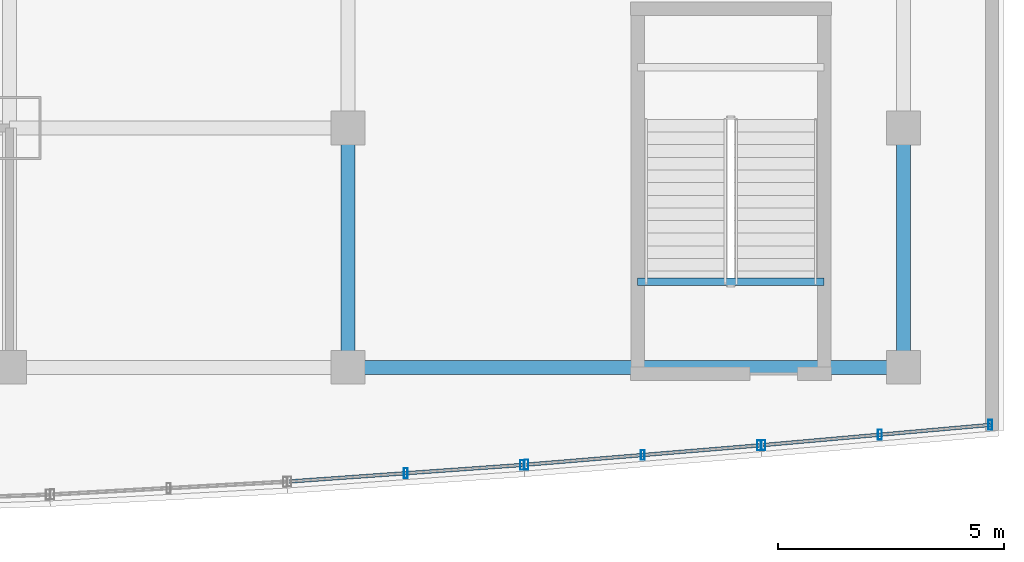
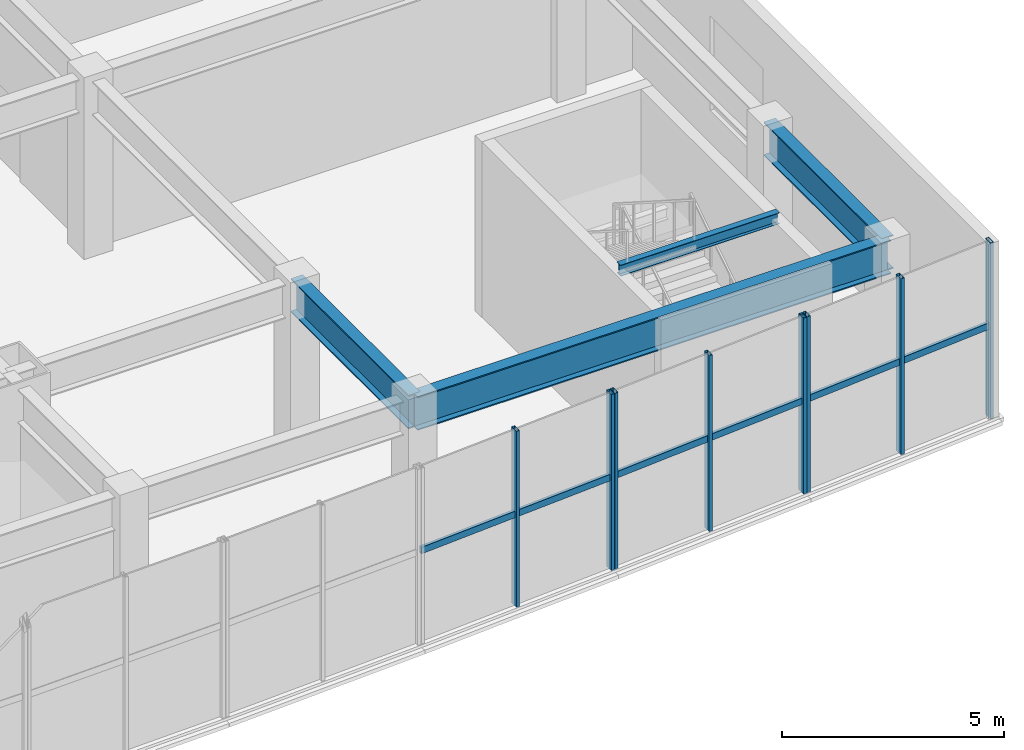
# One storey, part 9 of 24: 11 members, 4 beams, 3 elements without a shape of their own.
"""IFC4 building model written with IfcOpenShell, lengths in metres."""

from ifc_helpers import new_model, si_unit, direction, frame, origin, origin_2d, place, context, subcontext, project, spatial, hollow_rectangle, i_section, extrude, material, layer, layer_set, material_profile, profile_set, type_object, element, aggregate, save


model = new_model("IFC4")

# Units and contexts
model_context = context("Model", 3, precision=1e-05, world=origin(), true_north=direction((0.0, 1.0)))
body_context = subcontext(model_context, "Body", "Model", "MODEL_VIEW")
ifc_project = project(units=[si_unit("LENGTHUNIT", "METRE"), si_unit("AREAUNIT", "SQUARE_METRE"), si_unit("VOLUMEUNIT", "CUBIC_METRE"), si_unit("PLANEANGLEUNIT", "RADIAN"), si_unit("MASSUNIT", "GRAM", prefix="KILO")], contexts=[model_context])

# Site, building, storey
site_placement = place(None, origin())
site = spatial("IfcSite", under=ifc_project, at=site_placement, CompositionType="ELEMENT")
building_placement = place(site_placement, origin())
building = spatial("IfcBuilding", under=site, at=building_placement, Name="Vantalir Tower", CompositionType="ELEMENT")
storey_placement = place(building_placement, frame((0.0, 0.0, 11.0)))
storey = spatial("IfcBuildingStorey", under=building, at=storey_placement, Name="L02", CompositionType="ELEMENT", Elevation=11.0)

# Beams
ifc_material_1 = material(Name="Steel S355", Category="steel")
ifc_material_profile_1 = material_profile(ifc_material_1, i_section(OverallWidth=0.166015625, OverallDepth=0.306884765625, WebThickness=0.006591796875, FlangeThickness=0.01171875, at=origin_2d()), Name="Steel S355")
ifc_profile_set_1 = profile_set([ifc_material_profile_1], Name="Steel S355")
beam_type_1 = type_object("IfcBeamType", Name="BM-JS-305x165", PredefinedType="JOIST", material=ifc_profile_set_1)
beam_1_placement = place(storey_placement, frame((55.010009765625, 5.094970703125, 4.845947265625), z_axis=(1.0, 0.0, 0.0), x_axis=(0.0, 1.0, 0.0)))
element("IfcBeam", 1, at=beam_1_placement, inside=storey, type_object=beam_type_1, Name="L03 Stair PST4 Well Nosing Trimmer Beam", PredefinedType="JOIST", context=body_context, shape_type="SweptSolid", body=[
    extrude(i_section(OverallWidth=0.166015625, OverallDepth=0.306884765625, WebThickness=0.006591796875, FlangeThickness=0.01171875, at=origin_2d()), origin(), (0.0, 0.0, 1.0), 4.1298828125),
])
ifc_material_profile_2 = material_profile(ifc_material_1, i_section(OverallWidth=0.30810546875, OverallDepth=0.927001953125, WebThickness=0.01953125, FlangeThickness=0.031982421875, at=origin_2d()), Name="Steel S355")
ifc_profile_set_2 = profile_set([ifc_material_profile_2], Name="Steel S355")
beam_type_2 = type_object("IfcBeamType", Name="BM-PG-914x305", PredefinedType="USERDEFINED", material=ifc_profile_set_2)
beam_2_placement = place(storey_placement, frame((48.60009765625, 3.199951171875, 4.35595703125), z_axis=(1.0, 0.0, 0.0), x_axis=(0.0, 1.0, 0.0)))
element("IfcBeam", 2, at=beam_2_placement, inside=storey, type_object=beam_type_2, Name="Level 02 Podium E-W Girder 06", ObjectType="GIRDER", PredefinedType="USERDEFINED", context=body_context, shape_type="SweptSolid", body=[
    extrude(i_section(OverallWidth=0.30810546875, OverallDepth=0.927001953125, WebThickness=0.01953125, FlangeThickness=0.031982421875, at=origin_2d()), origin(), (0.0, 0.0, 1.0), 12.2998046875),
])
for number, where, z_axis, x_axis, name in (
    (3, (48.60009765625, 3.199951171875, 4.35595703125), (0.0, 1.0, 0.0), (-1.0, 0.0, 0.0), "Level 02 Podium N-S Girder 74"),
    (4, (60.89990234375, 3.199951171875, 4.35595703125), (0.0, 1.0, 0.0), (-1.0, 0.0, 0.0), "Level 02 Podium N-S Girder 80"),
):
    element("IfcBeam", number, at=place(storey_placement, frame(where, z_axis=z_axis, x_axis=x_axis)), inside=storey, type_object=beam_type_2, Name=name, ObjectType="GIRDER", PredefinedType="USERDEFINED", context=body_context, shape_type="SweptSolid", body=[
        extrude(i_section(OverallWidth=0.30810546875, OverallDepth=0.927001953125, WebThickness=0.01953125, FlangeThickness=0.031982421875, at=origin_2d()), origin(), (0.0, 0.0, 1.0), 5.300048828125),
    ])

# Curtain wall, members
ifc_material_2 = material(Name="Champagne-silver PVDF aluminium and double-silver Low-E glass", Category="aluminium")
ifc_layer = layer(ifc_material_2, 0.239990234375)
ifc_layer_set = layer_set([ifc_layer], Name="Champagne-silver PVDF aluminium and double-silver Low-E glass")
curtain_wall_type = type_object("IfcCurtainWallType", Name="CW-PODIUM-WF", PredefinedType="USERDEFINED", material=ifc_layer_set)
curtain_wall_1_placement = place(storey_placement, origin())
curtain_wall_1 = element("IfcCurtainWall", 5, at=curtain_wall_1_placement, inside=storey, type_object=curtain_wall_type, Name="Level 02 Waterfront Stick Curtain Wall 10", ObjectType="STICK CURTAIN WALL", PredefinedType="USERDEFINED")
ifc_material_3 = material(Name="Champagne-silver PVDF aluminium 6063-T6", Category="aluminium")
ifc_material_profile_3 = material_profile(ifc_material_3, hollow_rectangle(XDim=0.0849609375, YDim=0.219970703125, WallThickness=0.0048828125, at=origin_2d()), Name="Champagne-silver PVDF aluminium 6063-T6")
ifc_profile_set_3 = profile_set([ifc_material_profile_3], Name="Champagne-silver PVDF aluminium 6063-T6")
member_type_1 = type_object("IfcMemberType", Name="CWM-220x85", PredefinedType="MULLION", material=ifc_profile_set_3)
member_1_placement = place(storey_placement, frame((49.875, 0.85400390625, -0.011962890625), z_axis=(0.0, 0.0, 1.0), x_axis=(1.0, 0.0, 0.0)))
member_1 = element("IfcMember", 6, at=member_1_placement, type_object=member_type_1, Name="CW-L02-WF-10 Mullion 2", PredefinedType="MULLION", context=body_context, shape_type="SweptSolid", body=[
    extrude(hollow_rectangle(XDim=0.0849609375, YDim=0.219970703125, WallThickness=0.0048828125, at=origin_2d()), origin(), (0.0, 0.0, 1.0), 4.843994140625),
])
member_2_placement = place(storey_placement, frame((52.449951171875, 1.035888671875, -0.011962890625), z_axis=(0.0, 0.0, 1.0), x_axis=(1.0, 0.0, 0.0)))
member_2 = element("IfcMember", 7, at=member_2_placement, type_object=member_type_1, Name="CW-L02-WF-10 Mullion 3", PredefinedType="MULLION", context=body_context, shape_type="SweptSolid", body=[
    extrude(hollow_rectangle(XDim=0.0849609375, YDim=0.219970703125, WallThickness=0.0048828125, at=origin_2d()), origin(), (0.0, 0.0, 1.0), 4.843994140625),
])

curtain_wall_2_placement = place(storey_placement, origin())
curtain_wall_2 = element("IfcCurtainWall", 8, at=curtain_wall_2_placement, inside=storey, type_object=curtain_wall_type, Name="Level 02 Waterfront Stick Curtain Wall 11", ObjectType="STICK CURTAIN WALL", PredefinedType="USERDEFINED")
member_3_placement = place(storey_placement, frame((52.550048828125, 1.0439453125, -0.011962890625), z_axis=(0.0, 0.0, 1.0), x_axis=(1.0, 0.0, 0.0)))
member_3 = element("IfcMember", 9, at=member_3_placement, type_object=member_type_1, Name="CW-L02-WF-11 Mullion 1", PredefinedType="MULLION", context=body_context, shape_type="SweptSolid", body=[
    extrude(hollow_rectangle(XDim=0.0849609375, YDim=0.219970703125, WallThickness=0.0048828125, at=origin_2d()), origin(), (0.0, 0.0, 1.0), 4.843994140625),
])
member_4_placement = place(storey_placement, frame((55.125, 1.257080078125, -0.011962890625), z_axis=(0.0, 0.0, 1.0), x_axis=(1.0, 0.0, 0.0)))
member_4 = element("IfcMember", 10, at=member_4_placement, type_object=member_type_1, Name="CW-L02-WF-11 Mullion 2", PredefinedType="MULLION", context=body_context, shape_type="SweptSolid", body=[
    extrude(hollow_rectangle(XDim=0.0849609375, YDim=0.219970703125, WallThickness=0.0048828125, at=origin_2d()), origin(), (0.0, 0.0, 1.0), 4.843994140625),
])
member_5_placement = place(storey_placement, frame((57.699951171875, 1.469970703125, -0.011962890625), z_axis=(0.0, 0.0, 1.0), x_axis=(1.0, 0.0, 0.0)))
member_5 = element("IfcMember", 11, at=member_5_placement, type_object=member_type_1, Name="CW-L02-WF-11 Mullion 3", PredefinedType="MULLION", context=body_context, shape_type="SweptSolid", body=[
    extrude(hollow_rectangle(XDim=0.0849609375, YDim=0.219970703125, WallThickness=0.0048828125, at=origin_2d()), origin(), (0.0, 0.0, 1.0), 4.843994140625),
])

curtain_wall_3_placement = place(storey_placement, origin())
curtain_wall_3 = element("IfcCurtainWall", 12, at=curtain_wall_3_placement, inside=storey, type_object=curtain_wall_type, Name="Level 02 Waterfront Stick Curtain Wall 12", ObjectType="STICK CURTAIN WALL", PredefinedType="USERDEFINED")
member_6_placement = place(storey_placement, frame((57.800048828125, 1.47802734375, -0.011962890625), z_axis=(0.0, 0.0, 1.0), x_axis=(1.0, 0.0, 0.0)))
member_6 = element("IfcMember", 13, at=member_6_placement, type_object=member_type_1, Name="CW-L02-WF-12 Mullion 1", PredefinedType="MULLION", context=body_context, shape_type="SweptSolid", body=[
    extrude(hollow_rectangle(XDim=0.0849609375, YDim=0.219970703125, WallThickness=0.0048828125, at=origin_2d()), origin(), (0.0, 0.0, 1.0), 4.843994140625),
])
member_7_placement = place(storey_placement, frame((60.375, 1.70703125, -0.011962890625), z_axis=(0.0, 0.0, 1.0), x_axis=(1.0, 0.0, 0.0)))
member_7 = element("IfcMember", 14, at=member_7_placement, type_object=member_type_1, Name="CW-L02-WF-12 Mullion 2", PredefinedType="MULLION", context=body_context, shape_type="SweptSolid", body=[
    extrude(hollow_rectangle(XDim=0.0849609375, YDim=0.219970703125, WallThickness=0.0048828125, at=origin_2d()), origin(), (0.0, 0.0, 1.0), 4.843994140625),
])
member_8_placement = place(storey_placement, frame((62.821044921875, 1.924072265625, -0.011962890625), z_axis=(0.0, 0.0, 1.0), x_axis=(1.0, 0.0, 0.0)))
member_8 = element("IfcMember", 15, at=member_8_placement, type_object=member_type_1, Name="CW-L02-WF-12 Mullion 3", PredefinedType="MULLION", context=body_context, shape_type="SweptSolid", body=[
    extrude(hollow_rectangle(XDim=0.0849609375, YDim=0.219970703125, WallThickness=0.0048828125, at=origin_2d()), origin(), (0.0, 0.0, 1.0), 4.843994140625),
])

# Member
ifc_material_profile_4 = material_profile(ifc_material_3, hollow_rectangle(XDim=0.080078125, YDim=0.179931640625, WallThickness=0.0048828125, at=origin_2d()), Name="Champagne-silver PVDF aluminium 6063-T6")
ifc_profile_set_4 = profile_set([ifc_material_profile_4], Name="Champagne-silver PVDF aluminium 6063-T6")
member_type_2 = type_object("IfcMemberType", Name="CWT-180x80", PredefinedType="USERDEFINED", material=ifc_profile_set_4)
member_9_placement = place(storey_placement, frame((47.300048828125, 0.6708984375, 2.506103515625), z_axis=(0.997497914419, 0.070695903198, 0.0), x_axis=(-0.070695903198, 0.997497914419, 0.0)))
member_9 = element("IfcMember", 16, at=member_9_placement, type_object=member_type_2, Name="CW-L02-WF-10 Transom 1", ObjectType="TRANSOM", PredefinedType="USERDEFINED", context=body_context, shape_type="SweptSolid", body=[
    extrude(hollow_rectangle(XDim=0.080078125, YDim=0.179931640625, WallThickness=0.0048828125, at=origin_2d()), origin(), (0.0, 0.0, 1.0), 5.162841796875),
])

aggregate(curtain_wall_1, [member_1, member_2, member_9])

member_10_placement = place(storey_placement, frame((52.550048828125, 1.0439453125, 2.506103515625), z_axis=(0.996595754271, 0.08244332944, 0.0), x_axis=(-0.08244332944, 0.996595754271, 0.0)))
member_10 = element("IfcMember", 17, at=member_10_placement, type_object=member_type_2, Name="CW-L02-WF-11 Transom 1", ObjectType="TRANSOM", PredefinedType="USERDEFINED", context=body_context, shape_type="SweptSolid", body=[
    extrude(hollow_rectangle(XDim=0.080078125, YDim=0.179931640625, WallThickness=0.0048828125, at=origin_2d()), origin(), (0.0, 0.0, 1.0), 5.16748046875),
])

aggregate(curtain_wall_2, [member_3, member_4, member_5, member_10])

member_11_placement = place(storey_placement, frame((57.800048828125, 1.47802734375, 2.506103515625), z_axis=(0.996077290425, 0.088487465215, 0.0), x_axis=(-0.088487465215, 0.996077290425, 0.0)))
member_11 = element("IfcMember", 18, at=member_11_placement, type_object=member_type_2, Name="CW-L02-WF-12 Transom 1", ObjectType="TRANSOM", PredefinedType="USERDEFINED", context=body_context, shape_type="SweptSolid", body=[
    extrude(hollow_rectangle(XDim=0.080078125, YDim=0.179931640625, WallThickness=0.0048828125, at=origin_2d()), origin(), (0.0, 0.0, 1.0), 5.040771484375),
])

aggregate(curtain_wall_3, [member_6, member_7, member_8, member_11])

save(model, "model.ifc")
